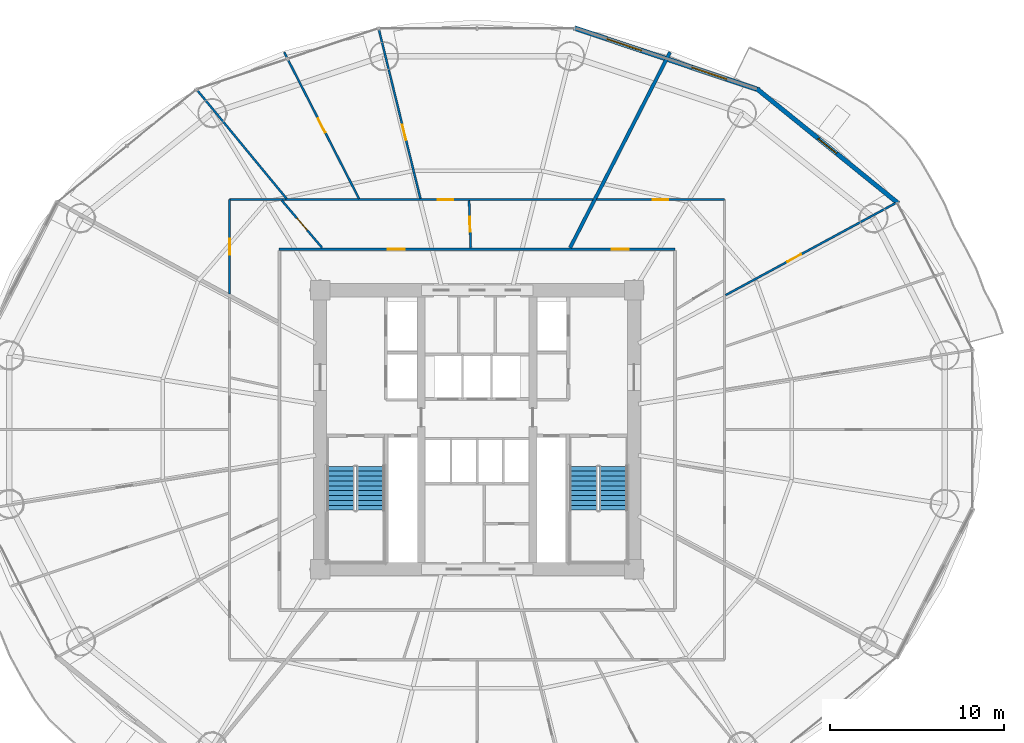
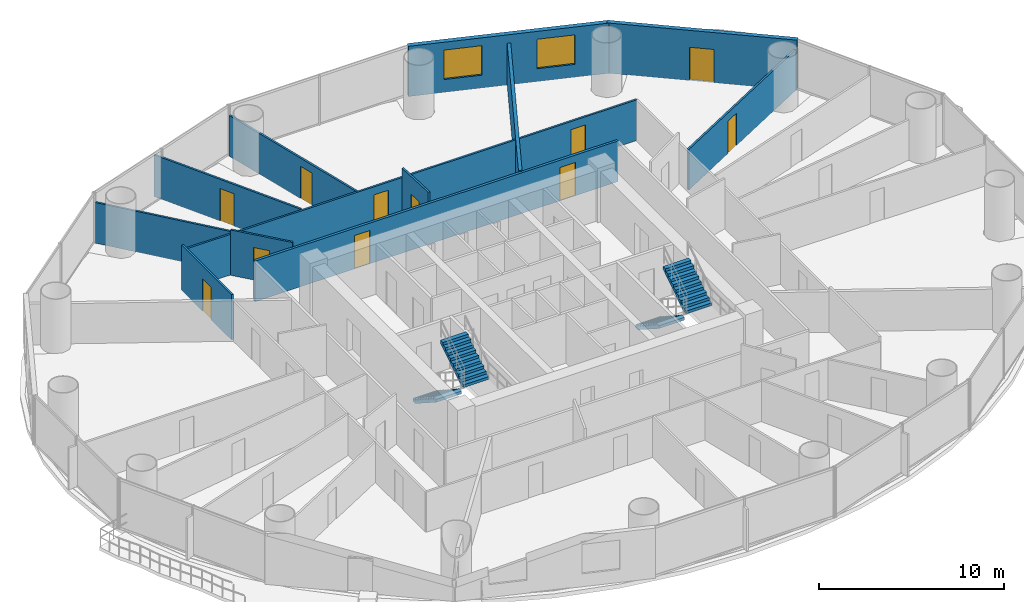
# One storey, part 25 of 29: 13 walls, 11 doors, 4 stair flights, 2 windows, 13 openings, 2 elements without a shape of their own.
"""IFC4 building model written with IfcOpenShell, lengths in metres."""

import ifcopenshell
import ifcopenshell.guid

model = None  # the IFC model being written
_history = None  # IfcOwnerHistory: only IFC2X3 demands one
_inside = {}  # id of a spatial element -> (the spatial element, [elements in it])
_under = {}  # id of a project, library or spatial element -> (it, [spatial elements below it])
_declared = {}  # id of a project -> (the project, [libraries it declares])
_typed = {}  # id of a type object -> (the type object, [elements of that type])
_made_of = {}  # id of a material, layer set ... -> (it, [elements and type objects made of it])


def new_model(schema):
    """Start an empty IFC model of exactly this schema.

    Asked for "IFC4X3", IfcOpenShell would pick the latest addendum, in which some entities
    have other attributes; the version numbers below select the first issue.
    IFC2X3 requires an IfcOwnerHistory on every rooted entity: one is made here for all.
    """
    global model, _history
    if schema == "IFC4X3":
        model = ifcopenshell.file(schema_version=(4, 3, 0, 0))
    else:
        model = ifcopenshell.file(schema=schema)
    _inside.clear()
    _under.clear()
    _declared.clear()
    _typed.clear()
    _made_of.clear()
    _history = None
    if model.schema == "IFC2X3":
        org = make("IfcOrganization", Name="unknown")
        user = make(
            "IfcPersonAndOrganization",
            ThePerson=make("IfcPerson", FamilyName="unknown"),
            TheOrganization=org,
        )
        app = make(
            "IfcApplication",
            ApplicationDeveloper=org,
            Version="unknown",
            ApplicationFullName="unknown",
            ApplicationIdentifier="unknown",
        )
        _history = make(
            "IfcOwnerHistory",
            OwningUser=user,
            OwningApplication=app,
            ChangeAction="ADDED",
            CreationDate=0,
        )
    return model


def make(cls, **values):
    """One entity of the class cls with the attributes given. An attribute that is None is left unset."""
    return model.create_entity(
        cls, **{name: value for name, value in values.items() if value is not None}
    )


def rooted(cls, **values):
    """An entity with a GlobalId (a new one), such as an element, a storey or a relation."""
    return make(cls, GlobalId=ifcopenshell.guid.new(), OwnerHistory=_history, **values)


def si_unit(unit_type, name, prefix=None):
    """IfcSIUnit, for example si_unit("LENGTHUNIT", "METRE", prefix="MILLI")."""
    return make("IfcSIUnit", UnitType=unit_type, Prefix=prefix, Name=name)


def assignment(units):
    """IfcUnitAssignment: the units of a project."""
    return None if units is None else make("IfcUnitAssignment", Units=units)


def point(xyz):
    """IfcCartesianPoint."""
    return None if xyz is None else make("IfcCartesianPoint", Coordinates=xyz)


def direction(xyz):
    """IfcDirection."""
    return None if xyz is None else make("IfcDirection", DirectionRatios=xyz)


def frame(location, z_axis=None, x_axis=None):
    """IfcAxis2Placement3D, a coordinate frame: its origin and axes. An axis left out is left unset."""
    return make(
        "IfcAxis2Placement3D",
        Location=point(location),
        Axis=direction(z_axis),
        RefDirection=direction(x_axis),
    )


def frame_2d(location, x_axis=None):
    """IfcAxis2Placement2D, a coordinate frame in the plane: its origin and x axis."""
    return make(
        "IfcAxis2Placement2D", Location=point(location), RefDirection=direction(x_axis)
    )


def origin():
    """The frame at (0, 0, 0) with its axes left unset."""
    return frame((0.0, 0.0, 0.0))


def place(relative_to, where):
    """IfcLocalPlacement: puts the frame where relative to a parent placement (None: the world)."""
    return make(
        "IfcLocalPlacement", PlacementRelTo=relative_to, RelativePlacement=where
    )


def context(
    kind, dimensions, precision=None, world=None, true_north=None, identifier=None
):
    """IfcGeometricRepresentationContext, for example the 3D "Model" context."""
    return make(
        "IfcGeometricRepresentationContext",
        ContextIdentifier=identifier,
        ContextType=kind,
        CoordinateSpaceDimension=dimensions,
        Precision=precision,
        WorldCoordinateSystem=world,
        TrueNorth=true_north,
    )


def subcontext(parent, identifier, kind, view, scale=None):
    """IfcGeometricRepresentationSubContext, for example "Body" below "Model"."""
    return make(
        "IfcGeometricRepresentationSubContext",
        ContextIdentifier=identifier,
        ContextType=kind,
        ParentContext=parent,
        TargetScale=scale,
        TargetView=view,
    )


def project(units=None, contexts=None):
    """IfcProject with its units and contexts."""
    return rooted(
        "IfcProject",
        Name="project",
        RepresentationContexts=contexts,
        UnitsInContext=assignment(units),
    )


def spatial(cls, under=None, at=None, **own):
    """A site, building, storey or space (cls), placed at a placement, below another one or the project."""
    s = rooted(cls, ObjectPlacement=at, **own)
    if under is not None:
        _under.setdefault(under.id(), (under, []))[1].append(s)
    return s


def polyline(points):
    """IfcPolyline through the points."""
    return make("IfcPolyline", Points=[point(p) for p in points])


def profile(cls, at=None, kind="AREA", **sizes):
    """A parametric profile (cls). Its sizes go by their IFC names, for example OverallWidth=200.0."""
    return make(cls, ProfileType=kind, Position=at, **sizes)


def rectangle(**sizes):
    """IfcRectangleProfileDef."""
    return profile("IfcRectangleProfileDef", **sizes)


def outline(outer, holes=None, kind="AREA"):
    """IfcArbitraryClosedProfileDef: a profile drawn as a closed curve; with holes, ...WithVoids."""
    if holes is None:
        return make("IfcArbitraryClosedProfileDef", ProfileType=kind, OuterCurve=outer)
    return make(
        "IfcArbitraryProfileDefWithVoids",
        ProfileType=kind,
        OuterCurve=outer,
        InnerCurves=holes,
    )


def extrude(swept, where, along, depth):
    """IfcExtrudedAreaSolid: the profile swept, set in the frame where, extruded along a direction by depth."""
    return make(
        "IfcExtrudedAreaSolid",
        SweptArea=swept,
        Position=where,
        ExtrudedDirection=direction(along),
        Depth=depth,
    )


def shape(context_of_items, identifier, shape_type, items):
    """IfcShapeRepresentation: the items that make up one representation, for example the "Body"."""
    return make(
        "IfcShapeRepresentation",
        ContextOfItems=context_of_items,
        RepresentationIdentifier=identifier,
        RepresentationType=shape_type,
        Items=items,
    )


def source(mapping_origin, context_of_items, identifier, shape_type, items):
    """IfcRepresentationMap: a shape defined once, which mapped items show again and again."""
    return make(
        "IfcRepresentationMap",
        MappingOrigin=mapping_origin,
        MappedRepresentation=shape(context_of_items, identifier, shape_type, items),
    )


def transform(
    local_origin,
    x_axis=None,
    y_axis=None,
    z_axis=None,
    scale=None,
    scale2=None,
    scale3=None,
    uniform=True,
):
    """IfcCartesianTransformationOperator3D, or its non-uniform kind. x_axis, y_axis, z_axis: its Axis1, 2, 3."""
    if uniform:
        return make(
            "IfcCartesianTransformationOperator3D",
            Axis1=direction(x_axis),
            Axis2=direction(y_axis),
            LocalOrigin=point(local_origin),
            Scale=scale,
            Axis3=direction(z_axis),
        )
    return make(
        "IfcCartesianTransformationOperator3DnonUniform",
        Axis1=direction(x_axis),
        Axis2=direction(y_axis),
        LocalOrigin=point(local_origin),
        Scale=scale,
        Axis3=direction(z_axis),
        Scale2=scale2,
        Scale3=scale3,
    )


def mapped(mapping_source, mapping_target):
    """IfcMappedItem: shows the shape of a source again, moved by a transform."""
    return make(
        "IfcMappedItem", MappingSource=mapping_source, MappingTarget=mapping_target
    )


def material(Name=None, Category=None):
    """IfcMaterial."""
    return make("IfcMaterial", Name=Name, Category=Category)


def layer(
    of_material, thickness, ventilated=None, Name=None, Category=None, Priority=None
):
    """IfcMaterialLayer: one layer of a wall or slab, of a material (None: an air gap)."""
    return make(
        "IfcMaterialLayer",
        Material=of_material,
        LayerThickness=thickness,
        IsVentilated=ventilated,
        Name=Name,
        Category=Category,
        Priority=Priority,
    )


def layer_set(layers, Name=None):
    """IfcMaterialLayerSet."""
    return make("IfcMaterialLayerSet", MaterialLayers=layers, LayerSetName=Name)


def made_of(thing, what):
    """Note that an element or type object is made of a material, layer set ...; save() writes the relation."""
    if what is not None:
        _made_of.setdefault(what.id(), (what, []))[1].append(thing)
    return thing


def type_object(cls, material=None, **own):
    """A type object (cls), such as IfcWallType, which elements share."""
    return made_of(rooted(cls, **own), material)


def element(
    cls,
    number,
    at=None,
    inside=None,
    cuts=None,
    type_object=None,
    material=None,
    context=None,
    identifier="Body",
    shape_type=None,
    held_by="IfcProductDefinitionShape",
    body=None,
    shapes=None,
    **own,
):
    """One element of the class cls, such as IfcWall. Its Tag is "e" and its number.

    at: its placement. inside: the storey or other place that contains it. cuts: it is an
    opening in that element (IfcRelVoidsElement). A single representation is given by context,
    identifier, shape_type and body (its items); several are given by shapes. held_by: the class
    of the entity that holds the representations. save() writes the other relations.
    """
    e = rooted(cls, Tag="e%d" % number, ObjectPlacement=at, **own)
    if body is not None:
        shapes = [shape(context, identifier, shape_type, body)]
    if shapes is not None:
        e.Representation = make(held_by, Representations=shapes)
    if inside is not None:
        _inside.setdefault(inside.id(), (inside, []))[1].append(e)
    if cuts is not None:
        rooted(
            "IfcRelVoidsElement", RelatingBuildingElement=cuts, RelatedOpeningElement=e
        )
    if type_object is not None:
        _typed.setdefault(type_object.id(), (type_object, []))[1].append(e)
    return made_of(e, material)


def fill(opening, filler):
    """IfcRelFillsElement: the door or window that sits in an opening."""
    return rooted(
        "IfcRelFillsElement",
        RelatingOpeningElement=opening,
        RelatedBuildingElement=filler,
    )


def aggregate(whole, parts):
    """IfcRelAggregates: a whole, such as a stair, and the parts it consists of."""
    return rooted("IfcRelAggregates", RelatingObject=whole, RelatedObjects=parts)


def save(model, path):
    """Write the relations noted so far, then the file.

    IfcRelAggregates (storeys below a building ...), IfcRelContainedInSpatialStructure (elements
    in a storey), IfcRelDefinesByType, IfcRelAssociatesMaterial and IfcRelDeclares: one each for
    every whole, place, type object, material and project.
    """
    for whole, parts in _under.values():
        aggregate(whole, parts)
    for where, things in _inside.values():
        rooted(
            "IfcRelContainedInSpatialStructure",
            RelatedElements=things,
            RelatingStructure=where,
        )
    for kind, things in _typed.values():
        rooted("IfcRelDefinesByType", RelatedObjects=things, RelatingType=kind)
    for what, things in _made_of.values():
        rooted("IfcRelAssociatesMaterial", RelatedObjects=things, RelatingMaterial=what)
    for by, libraries in _declared.values():
        rooted("IfcRelDeclares", RelatingContext=by, RelatedDefinitions=libraries)
    model.write(path)


model = new_model("IFC4")

# Units and contexts
model_context = context("Model", 3, precision=1e-05, world=origin(), true_north=direction((-0.2419218956, 0.970295726276)))
body_context = subcontext(model_context, "Body", "Model", "MODEL_VIEW")
ifc_project = project(units=[si_unit("LENGTHUNIT", "METRE"), si_unit("AREAUNIT", "SQUARE_METRE"), si_unit("VOLUMEUNIT", "CUBIC_METRE"), si_unit("PLANEANGLEUNIT", "RADIAN"), si_unit("MASSUNIT", "GRAM", prefix="KILO")], contexts=[model_context])

# Site, building, storey
site_placement = place(None, origin())
site = spatial("IfcSite", under=ifc_project, at=site_placement, CompositionType="ELEMENT")
building_placement = place(site_placement, origin())
building = spatial("IfcBuilding", under=site, at=building_placement, Name="Cobrevalo Terracotta Tower", CompositionType="ELEMENT")
storey_placement = place(building_placement, frame((0.0, 0.0, 52.800048828125)))
storey = spatial("IfcBuildingStorey", under=building, at=storey_placement, Name="L13", CompositionType="ELEMENT", Elevation=52.800048828125)

# Wall, openings, doors
ifc_material_1 = material(Name="Gypsum board on steel stud", Category="steel")
ifc_layer_1 = layer(ifc_material_1, 0.159912109375)
ifc_layer_set_1 = layer_set([ifc_layer_1], Name="Gypsum board on steel stud")
wall_type_1 = type_object("IfcWallType", Name="Fire-rated corridor acoustic partition wall 160 mm", PredefinedType="PARTITIONING", material=ifc_layer_set_1)
wall_1_placement = place(storey_placement, frame((26.64501953125, 37.155029296875, 0.0), z_axis=(0.0, 0.0, 1.0), x_axis=(1.0, 0.0, 0.0)))
wall_1 = element("IfcWall", 1, at=wall_1_placement, inside=storey, type_object=wall_type_1, Name="L13 interior partition IW-L13-COR-N", PredefinedType="PARTITIONING", context=body_context, shape_type="SweptSolid", body=[
    extrude(rectangle(XDim=22.7099609375, YDim=0.159912109375, at=frame_2d((11.35498046875, 0.0))), origin(), (0.0, 0.0, 1.0), 2.68798828125),
])
opening_1_placement = place(wall_1_placement, frame((19.075439453125, 0.0, 0.0)))
opening_1 = element("IfcOpeningElement", 2, at=opening_1_placement, cuts=wall_1, Name="Opening ID-05", PredefinedType="OPENING", context=body_context, shape_type="SweptSolid", body=[
    extrude(rectangle(XDim=0.97998046875, YDim=2.199951171875, at=frame_2d((0.489990234375, 1.10009765625))), frame((0.0, 0.08984375, 0.0), z_axis=(0.0, -1.0, 0.0), x_axis=(1.0, 0.0, 0.0)), (0.0, 0.0, 1.0), 0.179931640625),
])
opening_2_placement = place(wall_1_placement, frame((6.221435546875, 0.0, 0.0)))
opening_2 = element("IfcOpeningElement", 3, at=opening_2_placement, cuts=wall_1, Name="Opening ID-05", PredefinedType="OPENING", context=body_context, shape_type="SweptSolid", body=[
    extrude(rectangle(XDim=0.97998046875, YDim=2.199951171875, at=frame_2d((0.489990234375, 1.10009765625))), frame((0.0, 0.08984375, 0.0), z_axis=(0.0, -1.0, 0.0), x_axis=(1.0, 0.0, 0.0)), (0.0, 0.0, 1.0), 0.179931640625),
])
ifc_material_2 = material(Name="Solid hardwood timber", Category="wood")
door_type_1 = type_object("IfcDoorType", Name="Residence entrance fire-rated acoustic timber door 980x2200 EI 60", OperationType="NOTDEFINED", PredefinedType="DOOR", material=ifc_material_2)
shared_shape_1 = source(origin(), body_context, "Body", "SweptSolid", [
    extrude(rectangle(XDim=0.97998046875, YDim=2.199951171875, at=frame_2d((0.489990234375, 1.10009765625))), frame((0.0, 0.02490234375, 0.0), z_axis=(0.0, -1.0, 0.0), x_axis=(1.0, 0.0, 0.0)), (0.0, 0.0, 1.0), 0.050048828125),
])
door_1_placement = place(opening_1_placement, frame((0.97998046875, 0.0, 0.0), z_axis=(0.0, 0.0, 1.0), x_axis=(-1.0, 0.0, 0.0)))
door_1 = element("IfcDoor", 4, at=door_1_placement, inside=storey, type_object=door_type_1, Name="Flat L13A fire-rated apartment entrance door", OperationType="SINGLE_SWING_LEFT", OverallHeight=2.199951171875, OverallWidth=0.97998046875, PredefinedType="DOOR", context=body_context, shape_type="MappedRepresentation", body=[
    mapped(shared_shape_1, transform((0.0, 0.0, 0.0), scale=1.0)),
])
fill(opening_1, door_1)
door_2_placement = place(opening_2_placement, origin())
door_2 = element("IfcDoor", 5, at=door_2_placement, inside=storey, type_object=door_type_1, Name="Flat L13B fire-rated apartment entrance door", OperationType="SINGLE_SWING_RIGHT", OverallHeight=2.199951171875, OverallWidth=0.97998046875, PredefinedType="DOOR", context=body_context, shape_type="MappedRepresentation", body=[
    mapped(shared_shape_1, transform((0.0, 0.0, 0.0), scale=1.0)),
])
fill(opening_2, door_2)

# Wall
ifc_material_3 = material(Name="Autoclaved aerated concrete block", Category="concrete")
ifc_layer_2 = layer(ifc_material_3, 0.199951171875)
ifc_layer_set_2 = layer_set([ifc_layer_2], Name="Autoclaved aerated concrete block")
wall_type_2 = type_object("IfcWallType", Name="Fire-rated stair, shaft & demising masonry wall 200 mm", PredefinedType="PARTITIONING", material=ifc_layer_set_2)
wall_2_placement = place(storey_placement, frame((43.334716796875, 37.23681640625, 0.0), z_axis=(0.0, 0.0, 1.0), x_axis=(0.455148959499, 0.890415310216, 0.0)))
element("IfcWall", 6, at=wall_2_placement, inside=storey, type_object=wall_type_2, Name="L13 interior partition IW-L13-DEM-2", PredefinedType="PARTITIONING", context=body_context, shape_type="SweptSolid", body=[
    extrude(rectangle(XDim=12.598388671875, YDim=0.199951171875, at=frame_2d((6.29931640625, 0.0))), origin(), (0.0, 0.0, 1.0), 2.761962890625),
])

# Wall, openings, windows
ifc_layer_3 = layer(ifc_material_3, 0.280029296875)
ifc_layer_set_3 = layer_set([ifc_layer_3], Name="Autoclaved aerated concrete block")
wall_type_3 = type_object("IfcWallType", Name="Insulated tower spandrel & pier wall 280 mm with terracotta rainscreen", PredefinedType="SOLIDWALL", material=ifc_layer_set_3)
wall_3_placement = place(storey_placement, frame((54.170654296875, 46.2890625, 0.0), z_axis=(0.0, 0.0, 1.0), x_axis=(-0.948041258496, 0.318147406385, 0.0)))
wall_3 = element("IfcWall", 7, at=wall_3_placement, inside=storey, type_object=wall_type_3, Name="L13 terracotta rainscreen pier wall S03", PredefinedType="SOLIDWALL", context=body_context, shape_type="SweptSolid", body=[
    extrude(rectangle(XDim=11.17529296875, YDim=0.280029296875, at=frame_2d((5.587646484375, 0.0))), origin(), (0.0, 0.0, 1.0), 3.320068359375),
])
opening_3_placement = place(wall_3_placement, frame((1.96728515625, 0.0, 0.85009765625)))
opening_3 = element("IfcOpeningElement", 8, at=opening_3_placement, cuts=wall_3, Name="Opening WN-10", PredefinedType="OPENING", context=body_context, shape_type="SweptSolid", body=[
    extrude(rectangle(XDim=2.10009765625, YDim=1.949951171875, at=frame_2d((1.050048828125, 0.97509765625))), frame((0.0, 0.14990234375, 0.0), z_axis=(0.0, -1.0, 0.0), x_axis=(1.0, 0.0, 0.0)), (0.0, 0.0, 1.0), 0.300048828125),
])
opening_4_placement = place(wall_3_placement, frame((7.108154296875, 0.0, 0.85009765625)))
opening_4 = element("IfcOpeningElement", 9, at=opening_4_placement, cuts=wall_3, Name="Opening WN-10", PredefinedType="OPENING", context=body_context, shape_type="SweptSolid", body=[
    extrude(rectangle(XDim=2.10009765625, YDim=1.949951171875, at=frame_2d((1.050048828125, 0.97509765625))), frame((0.0, 0.14990234375, 0.0), z_axis=(0.0, -1.0, 0.0), x_axis=(1.0, 0.0, 0.0)), (0.0, 0.0, 1.0), 0.300048828125),
])
ifc_material_4 = material(Name="Solar-control low-E double glazing", Category="glass")
window_type = type_object("IfcWindowType", Name="Wide panoramic low-E aluminium window 2100x1950", PartitioningType="SINGLE_PANEL", PredefinedType="WINDOW", material=ifc_material_4)
shared_shape_2 = source(origin(), body_context, "Body", "SweptSolid", [
    extrude(rectangle(XDim=2.10009765625, YDim=1.949951171875, at=frame_2d((1.050048828125, 0.97509765625))), frame((0.0, 0.030029296875, 0.0), z_axis=(0.0, -1.0, 0.0), x_axis=(1.0, 0.0, 0.0)), (0.0, 0.0, 1.0), 0.06005859375),
])
window_1_placement = place(opening_3_placement, origin())
window_1 = element("IfcWindow", 10, at=window_1_placement, inside=storey, type_object=window_type, Name="L13 suite window S03A", OverallHeight=1.949951171875, OverallWidth=2.10009765625, PartitioningType="SINGLE_PANEL", PredefinedType="WINDOW", context=body_context, shape_type="MappedRepresentation", body=[
    mapped(shared_shape_2, transform((0.0, 0.0, 0.0), scale=1.0)),
])
fill(opening_3, window_1)
window_2_placement = place(opening_4_placement, origin())
window_2 = element("IfcWindow", 11, at=window_2_placement, inside=storey, type_object=window_type, Name="L13 suite window S03B", OverallHeight=1.949951171875, OverallWidth=2.10009765625, PartitioningType="SINGLE_PANEL", PredefinedType="WINDOW", context=body_context, shape_type="MappedRepresentation", body=[
    mapped(shared_shape_2, transform((0.0, 0.0, 0.0), scale=1.0)),
])
fill(opening_4, window_2)

# Wall, opening, door
ifc_layer_4 = layer(ifc_material_3, 0.260009765625)
ifc_layer_set_4 = layer_set([ifc_layer_4], Name="Autoclaved aerated concrete block")
wall_type_4 = type_object("IfcWallType", Name="Recessed balcony loggia insulated exterior wall 260 mm", PredefinedType="SOLIDWALL", material=ifc_layer_set_4)
wall_4_placement = place(storey_placement, frame((62.14990234375, 39.788818359375, 0.0), z_axis=(0.0, 0.0, 1.0), x_axis=(-0.777005352078, 0.62949398952, 0.0)))
wall_4 = element("IfcWall", 12, at=wall_4_placement, inside=storey, type_object=wall_type_4, Name="L13 balcony loggia wall S02", PredefinedType="SOLIDWALL", context=body_context, shape_type="SweptSolid", body=[
    extrude(rectangle(XDim=10.44677734375, YDim=0.260009765625, at=frame_2d((5.223388671875, 0.0))), origin(), (0.0, 0.0, 1.0), 3.320068359375),
])
opening_5_placement = place(wall_4_placement, frame((4.54833984375, 0.0, 0.0)))
opening_5 = element("IfcOpeningElement", 13, at=opening_5_placement, cuts=wall_4, Name="Opening ED-05", PredefinedType="OPENING", context=body_context, shape_type="SweptSolid", body=[
    extrude(rectangle(XDim=1.35009765625, YDim=2.199951171875, at=frame_2d((0.675048828125, 1.10009765625))), frame((0.0, 0.14013671875, 0.0), z_axis=(0.0, -1.0, 0.0), x_axis=(1.0, 0.0, 0.0)), (0.0, 0.0, 1.0), 0.280029296875),
])
ifc_material_5 = material(Name="Anodized aluminium and laminated glass", Category="aluminium")
door_type_2 = type_object("IfcDoorType", Name="Suite balcony acoustic glazed terrace door 1350x2200", OperationType="NOTDEFINED", PredefinedType="DOOR", material=ifc_material_5)
shared_shape_3 = source(origin(), body_context, "Body", "SweptSolid", [
    extrude(rectangle(XDim=1.35009765625, YDim=2.199951171875, at=frame_2d((0.675048828125, 1.10009765625))), frame((0.0, 0.02490234375, 0.0), z_axis=(0.0, -1.0, 0.0), x_axis=(1.0, 0.0, 0.0)), (0.0, 0.0, 1.0), 0.050048828125),
])
door_3_placement = place(opening_5_placement, frame((1.35009765625, 0.0, 0.0), z_axis=(0.0, 0.0, 1.0), x_axis=(-1.0, 0.0, 0.0)))
door_3 = element("IfcDoor", 14, at=door_3_placement, inside=storey, type_object=door_type_2, Name="L13 glazed balcony terrace door 1", OperationType="SINGLE_SWING_LEFT", OverallHeight=2.199951171875, OverallWidth=1.35009765625, PredefinedType="DOOR", context=body_context, shape_type="MappedRepresentation", body=[
    mapped(shared_shape_3, transform((0.0, 0.0, 0.0), scale=1.0)),
])
fill(opening_5, door_3)

ifc_layer_5 = layer(ifc_material_1, 0.1201171875)
ifc_layer_set_5 = layer_set([ifc_layer_5], Name="Gypsum board on steel stud")
wall_type_5 = type_object("IfcWallType", Name="Residential internal acoustic stud partition 120 mm", PredefinedType="PARTITIONING", material=ifc_layer_set_5)
wall_5_placement = place(storey_placement, frame((44.8466796875, 39.9951171875, 0.0), z_axis=(0.0, 0.0, 1.0), x_axis=(1.0, 0.0, 0.0)))
wall_5 = element("IfcWall", 15, at=wall_5_placement, inside=storey, type_object=wall_type_5, Name="L13 interior partition IW-L13-U1-RING0_0", PredefinedType="PARTITIONING", context=body_context, shape_type="SweptSolid", body=[
    extrude(rectangle(XDim=7.348388671875, YDim=0.1201171875, at=frame_2d((3.67431640625, 0.0))), origin(), (0.0, 0.0, 1.0), 2.68798828125),
])
opening_6_placement = place(wall_5_placement, frame((3.22412109375, 0.0, 0.0)))
opening_6 = element("IfcOpeningElement", 16, at=opening_6_placement, cuts=wall_5, Name="Opening ID-12", PredefinedType="OPENING", context=body_context, shape_type="SweptSolid", body=[
    extrude(rectangle(XDim=0.89990234375, YDim=2.14990234375, at=frame_2d((0.449951171875, 1.074951171875))), frame((0.0, 0.070068359375, 0.0), z_axis=(0.0, -1.0, 0.0), x_axis=(1.0, 0.0, 0.0)), (0.0, 0.0, 1.0), 0.14013671875),
])
ifc_material_6 = material(Name="Engineered timber", Category="wood")
door_type_3 = type_object("IfcDoorType", Name="Internal residence & suite timber door 900x2150", OperationType="NOTDEFINED", PredefinedType="DOOR", material=ifc_material_6)
shared_shape_4 = source(origin(), body_context, "Body", "SweptSolid", [
    extrude(rectangle(XDim=0.89990234375, YDim=2.14990234375, at=frame_2d((0.449951171875, 1.074951171875))), frame((0.0, 0.02490234375, 0.0), z_axis=(0.0, -1.0, 0.0), x_axis=(1.0, 0.0, 0.0)), (0.0, 0.0, 1.0), 0.050048828125),
])
door_4_placement = place(opening_6_placement, origin())
door_4 = element("IfcDoor", 17, at=door_4_placement, inside=storey, type_object=door_type_3, Name="Flat L13A Penthouse Family Lounge internal door", OperationType="SINGLE_SWING_LEFT", OverallHeight=2.14990234375, OverallWidth=0.89990234375, PredefinedType="DOOR", context=body_context, shape_type="MappedRepresentation", body=[
    mapped(shared_shape_4, transform((0.0, 0.0, 0.0), scale=1.0)),
])
fill(opening_6, door_4)

wall_6_placement = place(storey_placement, frame((52.24951171875, 34.515380859375, 0.0), z_axis=(0.0, 0.0, 1.0), x_axis=(0.879370672984, 0.476137815654, 0.0)))
wall_6 = element("IfcWall", 18, at=wall_6_placement, inside=storey, type_object=wall_type_5, Name="L13 interior partition IW-L13-U1-ORAD3", PredefinedType="PARTITIONING", context=body_context, shape_type="SweptSolid", body=[
    extrude(rectangle(XDim=11.094482421875, YDim=0.1201171875, at=frame_2d((5.54736328125, 0.0))), origin(), (0.0, 0.0, 1.0), 2.68798828125),
])
opening_7_placement = place(wall_6_placement, frame((4.0341796875, 0.0, 0.0)))
opening_7 = element("IfcOpeningElement", 19, at=opening_7_placement, cuts=wall_6, Name="Opening ID-12", PredefinedType="OPENING", context=body_context, shape_type="SweptSolid", body=[
    extrude(rectangle(XDim=0.89990234375, YDim=2.14990234375, at=frame_2d((0.449951171875, 1.074951171875))), frame((0.0, 0.070068359375, 0.0), z_axis=(0.0, -1.0, 0.0), x_axis=(1.0, 0.0, 0.0)), (0.0, 0.0, 1.0), 0.14013671875),
])
door_5_placement = place(opening_7_placement, frame((0.89990234375, 0.0, 0.0), z_axis=(0.0, 0.0, 1.0), x_axis=(-1.0, 0.0, 0.0)))
door_5 = element("IfcDoor", 20, at=door_5_placement, inside=storey, type_object=door_type_3, Name="Flat L13A Principal Guest Bedroom internal door", OperationType="SINGLE_SWING_RIGHT", OverallHeight=2.14990234375, OverallWidth=0.89990234375, PredefinedType="DOOR", context=body_context, shape_type="MappedRepresentation", body=[
    mapped(shared_shape_4, transform((0.0, 0.0, 0.0), scale=1.0)),
])
fill(opening_7, door_5)

wall_7_placement = place(storey_placement, frame((23.804931640625, 34.587890625, 0.0), z_axis=(0.0, 0.0, 1.0), x_axis=(0.0, 1.0, 0.0)))
wall_7 = element("IfcWall", 21, at=wall_7_placement, inside=storey, type_object=wall_type_5, Name="L13 interior partition IW-L13-U2-RING0_0", PredefinedType="PARTITIONING", context=body_context, shape_type="SweptSolid", body=[
    extrude(rectangle(XDim=5.4072265625, YDim=0.1201171875, at=frame_2d((2.70361328125, 0.0))), origin(), (0.0, 0.0, 1.0), 2.9990234375),
])
opening_8_placement = place(wall_7_placement, frame((2.25341796875, 0.0, 0.0)))
opening_8 = element("IfcOpeningElement", 22, at=opening_8_placement, cuts=wall_7, Name="Opening ID-12", PredefinedType="OPENING", context=body_context, shape_type="SweptSolid", body=[
    extrude(rectangle(XDim=0.89990234375, YDim=2.14990234375, at=frame_2d((0.449951171875, 1.074951171875))), frame((0.0, 0.070068359375, 0.0), z_axis=(0.0, -1.0, 0.0), x_axis=(1.0, 0.0, 0.0)), (0.0, 0.0, 1.0), 0.14013671875),
])
door_6_placement = place(opening_8_placement, origin())
door_6 = element("IfcDoor", 23, at=door_6_placement, inside=storey, type_object=door_type_3, Name="Flat L13B Penthouse Family Lounge internal door", OperationType="SINGLE_SWING_RIGHT", OverallHeight=2.14990234375, OverallWidth=0.89990234375, PredefinedType="DOOR", context=body_context, shape_type="MappedRepresentation", body=[
    mapped(shared_shape_4, transform((0.0, 0.0, 0.0), scale=1.0)),
])
fill(opening_8, door_6)

wall_8_placement = place(storey_placement, frame((23.804931640625, 39.9951171875, 0.0), z_axis=(0.0, 0.0, 1.0), x_axis=(1.0, 0.0, 0.0)))
wall_8 = element("IfcWall", 24, at=wall_8_placement, inside=storey, type_object=wall_type_5, Name="L13 interior partition IW-L13-U2-RING1_0", PredefinedType="PARTITIONING", context=body_context, shape_type="SweptSolid", body=[
    extrude(rectangle(XDim=20.837890625, YDim=0.1201171875, at=frame_2d((10.4189453125, 0.0))), origin(), (0.0, 0.0, 1.0), 2.68798828125),
])
opening_9_placement = place(wall_8_placement, frame((11.93115234375, 0.0, 0.0)))
opening_9 = element("IfcOpeningElement", 25, at=opening_9_placement, cuts=wall_8, Name="Opening ID-12", PredefinedType="OPENING", context=body_context, shape_type="SweptSolid", body=[
    extrude(rectangle(XDim=0.89990234375, YDim=2.14990234375, at=frame_2d((0.449951171875, 1.074951171875))), frame((0.0, 0.070068359375, 0.0), z_axis=(0.0, -1.0, 0.0), x_axis=(1.0, 0.0, 0.0)), (0.0, 0.0, 1.0), 0.14013671875),
])
door_7_placement = place(opening_9_placement, origin())
door_7 = element("IfcDoor", 26, at=door_7_placement, inside=storey, type_object=door_type_3, Name="Flat L13B Penthouse Living and Dining Room internal door", OperationType="SINGLE_SWING_RIGHT", OverallHeight=2.14990234375, OverallWidth=0.89990234375, PredefinedType="DOOR", context=body_context, shape_type="MappedRepresentation", body=[
    mapped(shared_shape_4, transform((0.0, 0.0, 0.0), scale=1.0)),
])
fill(opening_9, door_7)

wall_9_placement = place(storey_placement, frame((34.746337890625, 40.05517578125, 0.0), z_axis=(0.0, 0.0, 1.0), x_axis=(-0.238386209483, 0.971170435675, 0.0)))
wall_9 = element("IfcWall", 27, at=wall_9_placement, inside=storey, type_object=wall_type_5, Name="L13 interior partition IW-L13-U2-ORAD1", PredefinedType="PARTITIONING", context=body_context, shape_type="SweptSolid", body=[
    extrude(rectangle(XDim=9.97314453125, YDim=0.1201171875, at=frame_2d((4.986572265625, 0.0))), origin(), (0.0, 0.0, 1.0), 2.68798828125),
])
opening_10_placement = place(wall_9_placement, frame((3.46142578125, 0.0, 0.0)))
opening_10 = element("IfcOpeningElement", 28, at=opening_10_placement, cuts=wall_9, Name="Opening ID-12", PredefinedType="OPENING", context=body_context, shape_type="SweptSolid", body=[
    extrude(rectangle(XDim=0.89990234375, YDim=2.14990234375, at=frame_2d((0.449951171875, 1.074951171875))), frame((0.0, 0.070068359375, 0.0), z_axis=(0.0, -1.0, 0.0), x_axis=(1.0, 0.0, 0.0)), (0.0, 0.0, 1.0), 0.14013671875),
])
door_8_placement = place(opening_10_placement, origin())
door_8 = element("IfcDoor", 29, at=door_8_placement, inside=storey, type_object=door_type_3, Name="Flat L13B Master Bedroom internal door", OperationType="SINGLE_SWING_LEFT", OverallHeight=2.14990234375, OverallWidth=0.89990234375, PredefinedType="DOOR", context=body_context, shape_type="MappedRepresentation", body=[
    mapped(shared_shape_4, transform((0.0, 0.0, 0.0), scale=1.0)),
])
fill(opening_10, door_8)

wall_10_placement = place(storey_placement, frame((31.22705078125, 40.05029296875, 0.0), z_axis=(0.0, 0.0, 1.0), x_axis=(-0.455142050367, 0.890418841887, 0.0)))
wall_10 = element("IfcWall", 30, at=wall_10_placement, inside=storey, type_object=wall_type_5, Name="L13 interior partition IW-L13-U2-ORAD2M1", PredefinedType="PARTITIONING", context=body_context, shape_type="SweptSolid", body=[
    extrude(rectangle(XDim=9.4384765625, YDim=0.1201171875, at=frame_2d((4.71923828125, 0.0))), origin(), (0.0, 0.0, 1.0), 2.761962890625),
])
opening_11_placement = place(wall_10_placement, frame((4.269287109375, 0.0, 0.0)))
opening_11 = element("IfcOpeningElement", 31, at=opening_11_placement, cuts=wall_10, Name="Opening ID-12", PredefinedType="OPENING", context=body_context, shape_type="SweptSolid", body=[
    extrude(rectangle(XDim=0.89990234375, YDim=2.14990234375, at=frame_2d((0.449951171875, 1.074951171875))), frame((0.0, 0.070068359375, 0.0), z_axis=(0.0, -1.0, 0.0), x_axis=(1.0, 0.0, 0.0)), (0.0, 0.0, 1.0), 0.14013671875),
])
door_9_placement = place(opening_11_placement, origin())
door_9 = element("IfcDoor", 32, at=door_9_placement, inside=storey, type_object=door_type_3, Name="Flat L13B Principal Guest Bedroom internal door", OperationType="SINGLE_SWING_RIGHT", OverallHeight=2.14990234375, OverallWidth=0.89990234375, PredefinedType="DOOR", context=body_context, shape_type="MappedRepresentation", body=[
    mapped(shared_shape_4, transform((0.0, 0.0, 0.0), scale=1.0)),
])
fill(opening_11, door_9)

# Wall
wall_11_placement = place(storey_placement, frame((27.08056640625, 40.042724609375, 0.0), z_axis=(0.0, 0.0, 1.0), x_axis=(-0.636193310573, 0.771529695852, 0.0)))
element("IfcWall", 33, at=wall_11_placement, inside=storey, type_object=wall_type_5, Name="L13 interior partition IW-L13-U2-ORAD2", PredefinedType="PARTITIONING", context=body_context, shape_type="SweptSolid", body=[
    extrude(rectangle(XDim=8.0439453125, YDim=0.1201171875, at=frame_2d((4.02197265625, 0.0))), origin(), (0.0, 0.0, 1.0), 2.68798828125),
])

# Wall, opening, door
wall_12_placement = place(storey_placement, frame((37.634765625, 37.237060546875, 0.0), z_axis=(0.0, 0.0, 1.0), x_axis=(-0.03493293564, 0.999389658746, 0.0)))
wall_12 = element("IfcWall", 34, at=wall_12_placement, inside=storey, type_object=wall_type_5, Name="L13 interior partition IW-L13-U2-IRAD1", PredefinedType="PARTITIONING", context=body_context, shape_type="SweptSolid", body=[
    extrude(rectangle(XDim=2.69775390625, YDim=0.1201171875, at=frame_2d((1.348876953125, 0.0))), origin(), (0.0, 0.0, 1.0), 3.320068359375),
])
opening_12_placement = place(wall_12_placement, frame((0.918701171875, 0.0, 0.0)))
opening_12 = element("IfcOpeningElement", 35, at=opening_12_placement, cuts=wall_12, Name="Opening ID-19", PredefinedType="OPENING", context=body_context, shape_type="SweptSolid", body=[
    extrude(rectangle(XDim=0.860107421875, YDim=2.14990234375, at=frame_2d((0.43017578125, 1.074951171875))), frame((0.0, 0.070068359375, 0.0), z_axis=(0.0, -1.0, 0.0), x_axis=(1.0, 0.0, 0.0)), (0.0, 0.0, 1.0), 0.14013671875),
])
ifc_material_7 = material(Name="Moisture-sealed timber", Category="wood")
door_type_4 = type_object("IfcDoorType", Name="Suite bathroom internal timber door 860x2150", OperationType="NOTDEFINED", PredefinedType="DOOR", material=ifc_material_7)
shared_shape_5 = source(origin(), body_context, "Body", "SweptSolid", [
    extrude(rectangle(XDim=0.860107421875, YDim=2.14990234375, at=frame_2d((0.43017578125, 1.074951171875))), frame((0.0, 0.02490234375, 0.0), z_axis=(0.0, -1.0, 0.0), x_axis=(1.0, 0.0, 0.0)), (0.0, 0.0, 1.0), 0.050048828125),
])
door_10_placement = place(opening_12_placement, frame((0.860107421875, 0.0, 0.0), z_axis=(0.0, 0.0, 1.0), x_axis=(-1.0, 0.0, 0.0)))
door_10 = element("IfcDoor", 36, at=door_10_placement, inside=storey, type_object=door_type_4, Name="Flat L13B Primary Bathroom internal door", OperationType="SINGLE_SWING_LEFT", OverallHeight=2.14990234375, OverallWidth=0.860107421875, PredefinedType="DOOR", context=body_context, shape_type="MappedRepresentation", body=[
    mapped(shared_shape_5, transform((0.0, 0.0, 0.0), scale=1.0)),
])
fill(opening_12, door_10)

wall_13_placement = place(storey_placement, frame((29.108154296875, 37.236572265625, 0.0), z_axis=(0.0, 0.0, 1.0), x_axis=(-0.648553247009, 0.761169288526, 0.0)))
wall_13 = element("IfcWall", 37, at=wall_13_placement, inside=storey, type_object=wall_type_5, Name="L13 interior partition IW-L13-U2-IRAD2", PredefinedType="PARTITIONING", context=body_context, shape_type="SweptSolid", body=[
    extrude(rectangle(XDim=3.561767578125, YDim=0.1201171875, at=frame_2d((1.78076171875, 0.0))), origin(), (0.0, 0.0, 1.0), 2.9990234375),
])
opening_13_placement = place(wall_13_placement, frame((1.330810546875, 0.0, 0.0)))
opening_13 = element("IfcOpeningElement", 38, at=opening_13_placement, cuts=wall_13, Name="Opening ID-12", PredefinedType="OPENING", context=body_context, shape_type="SweptSolid", body=[
    extrude(rectangle(XDim=0.89990234375, YDim=2.14990234375, at=frame_2d((0.449951171875, 1.074951171875))), frame((0.0, 0.070068359375, 0.0), z_axis=(0.0, -1.0, 0.0), x_axis=(1.0, 0.0, 0.0)), (0.0, 0.0, 1.0), 0.14013671875),
])
door_11_placement = place(opening_13_placement, origin())
door_11 = element("IfcDoor", 39, at=door_11_placement, inside=storey, type_object=door_type_3, Name="Flat L13B Kitchen internal door", OperationType="SINGLE_SWING_LEFT", OverallHeight=2.14990234375, OverallWidth=0.89990234375, PredefinedType="DOOR", context=body_context, shape_type="MappedRepresentation", body=[
    mapped(shared_shape_4, transform((0.0, 0.0, 0.0), scale=1.0)),
])
fill(opening_13, door_11)

# Stair, stair flights
ifc_material_8 = material(Name="Concrete C50", Category="concrete")
stair_type = type_object("IfcStairType", Name="Core protected escape dogleg stair 1600", PredefinedType="HALF_TURN_STAIR", material=ifc_material_8)
stair_1_placement = place(storey_placement, origin())
stair_1 = element("IfcStair", 40, at=stair_1_placement, inside=storey, type_object=stair_type, Name="L13 Protected exit stair ST-1", PredefinedType="HALF_TURN_STAIR")
stair_flight_type = type_object("IfcStairFlightType", Name="Core protected escape dogleg stair 1600 flight", PredefinedType="STRAIGHT", material=ifc_material_8)
stair_flight_1_placement = place(storey_placement, frame((30.175048828125, 24.699951171875, 0.0), z_axis=(0.0, 0.0, 1.0), x_axis=(0.0, -1.0, 0.0)))
stair_flight_1 = element("IfcStairFlight", 41, at=stair_flight_1_placement, type_object=stair_flight_type, Name="ST-1 flight 1", NumberOfRisers=10, NumberOfTreads=9, PredefinedType="STRAIGHT", RiserHeight=0.18, TreadLength=0.28, context=body_context, shape_type="SweptSolid", body=[
    extrude(outline(polyline([(0.0, 0.0), (0.0, 0.179931640625), (0.280029296875, 0.179931640625), (0.280029296875, 0.360107421875), (0.56005859375, 0.360107421875), (0.56005859375, 0.5400390625), (0.840087890625, 0.5400390625), (0.840087890625, 0.719970703125), (1.1201171875, 0.719970703125), (1.1201171875, 0.89990234375), (1.39990234375, 0.89990234375), (1.39990234375, 1.080078125), (1.679931640625, 1.080078125), (1.679931640625, 1.260009765625), (1.9599609375, 1.260009765625), (1.9599609375, 1.43994140625), (2.239990234375, 1.43994140625), (2.239990234375, 1.6201171875), (2.52001953125, 1.6201171875), (2.52001953125, 1.800048828125), (2.52001953125, 1.429931640625), (0.295654296875, 0.0), (0.0, 0.0)])), frame((0.0, 0.800048828125, 0.0), z_axis=(0.0, -1.0, 0.0), x_axis=(1.0, 0.0, 0.0)), (0.0, 0.0, 1.0), 1.60009765625),
])
stair_flight_2_placement = place(storey_placement, frame((31.89501953125, 22.179931640625, 1.800048828125), z_axis=(0.0, 0.0, 1.0), x_axis=(0.0, 1.0, 0.0)))
stair_flight_2 = element("IfcStairFlight", 42, at=stair_flight_2_placement, type_object=stair_flight_type, Name="ST-1 flight 2", NumberOfRisers=10, NumberOfTreads=9, PredefinedType="STRAIGHT", RiserHeight=0.18, TreadLength=0.28, context=body_context, shape_type="SweptSolid", body=[
    extrude(outline(polyline([(0.0, 0.0), (0.0, 0.179931640625), (0.280029296875, 0.179931640625), (0.280029296875, 0.360107421875), (0.56005859375, 0.360107421875), (0.56005859375, 0.5400390625), (0.840087890625, 0.5400390625), (0.840087890625, 0.719970703125), (1.1201171875, 0.719970703125), (1.1201171875, 0.89990234375), (1.39990234375, 0.89990234375), (1.39990234375, 1.080078125), (1.679931640625, 1.080078125), (1.679931640625, 1.260009765625), (1.9599609375, 1.260009765625), (1.9599609375, 1.43994140625), (2.239990234375, 1.43994140625), (2.239990234375, 1.6201171875), (2.52001953125, 1.6201171875), (2.52001953125, 1.800048828125), (2.52001953125, 1.429931640625), (0.295654296875, 0.0), (0.0, 0.0)])), frame((0.0, 0.800048828125, 0.0), z_axis=(0.0, -1.0, 0.0), x_axis=(1.0, 0.0, 0.0)), (0.0, 0.0, 1.0), 1.60009765625),
])
aggregate(stair_1, [stair_flight_1, stair_flight_2])

stair_2_placement = place(storey_placement, origin())
stair_2 = element("IfcStair", 43, at=stair_2_placement, inside=storey, type_object=stair_type, Name="L13 Protected exit stair ST-2", PredefinedType="HALF_TURN_STAIR")
stair_flight_3_placement = place(storey_placement, frame((44.10498046875, 24.699951171875, 0.0), z_axis=(0.0, 0.0, 1.0), x_axis=(0.0, -1.0, 0.0)))
stair_flight_3 = element("IfcStairFlight", 44, at=stair_flight_3_placement, type_object=stair_flight_type, Name="ST-2 flight 1", NumberOfRisers=10, NumberOfTreads=9, PredefinedType="STRAIGHT", RiserHeight=0.18, TreadLength=0.28, context=body_context, shape_type="SweptSolid", body=[
    extrude(outline(polyline([(0.0, 0.0), (0.0, 0.179931640625), (0.280029296875, 0.179931640625), (0.280029296875, 0.360107421875), (0.56005859375, 0.360107421875), (0.56005859375, 0.5400390625), (0.840087890625, 0.5400390625), (0.840087890625, 0.719970703125), (1.1201171875, 0.719970703125), (1.1201171875, 0.89990234375), (1.39990234375, 0.89990234375), (1.39990234375, 1.080078125), (1.679931640625, 1.080078125), (1.679931640625, 1.260009765625), (1.9599609375, 1.260009765625), (1.9599609375, 1.43994140625), (2.239990234375, 1.43994140625), (2.239990234375, 1.6201171875), (2.52001953125, 1.6201171875), (2.52001953125, 1.800048828125), (2.52001953125, 1.429931640625), (0.295654296875, 0.0), (0.0, 0.0)])), frame((0.0, 0.800048828125, 0.0), z_axis=(0.0, -1.0, 0.0), x_axis=(1.0, 0.0, 0.0)), (0.0, 0.0, 1.0), 1.60009765625),
])
stair_flight_4_placement = place(storey_placement, frame((45.824951171875, 22.179931640625, 1.800048828125), z_axis=(0.0, 0.0, 1.0), x_axis=(0.0, 1.0, 0.0)))
stair_flight_4 = element("IfcStairFlight", 45, at=stair_flight_4_placement, type_object=stair_flight_type, Name="ST-2 flight 2", NumberOfRisers=10, NumberOfTreads=9, PredefinedType="STRAIGHT", RiserHeight=0.18, TreadLength=0.28, context=body_context, shape_type="SweptSolid", body=[
    extrude(outline(polyline([(0.0, 0.0), (0.0, 0.179931640625), (0.280029296875, 0.179931640625), (0.280029296875, 0.360107421875), (0.56005859375, 0.360107421875), (0.56005859375, 0.5400390625), (0.840087890625, 0.5400390625), (0.840087890625, 0.719970703125), (1.1201171875, 0.719970703125), (1.1201171875, 0.89990234375), (1.39990234375, 0.89990234375), (1.39990234375, 1.080078125), (1.679931640625, 1.080078125), (1.679931640625, 1.260009765625), (1.9599609375, 1.260009765625), (1.9599609375, 1.43994140625), (2.239990234375, 1.43994140625), (2.239990234375, 1.6201171875), (2.52001953125, 1.6201171875), (2.52001953125, 1.800048828125), (2.52001953125, 1.429931640625), (0.295654296875, 0.0), (0.0, 0.0)])), frame((0.0, 0.800048828125, 0.0), z_axis=(0.0, -1.0, 0.0), x_axis=(1.0, 0.0, 0.0)), (0.0, 0.0, 1.0), 1.60009765625),
])
aggregate(stair_2, [stair_flight_3, stair_flight_4])

save(model, "model.ifc")
